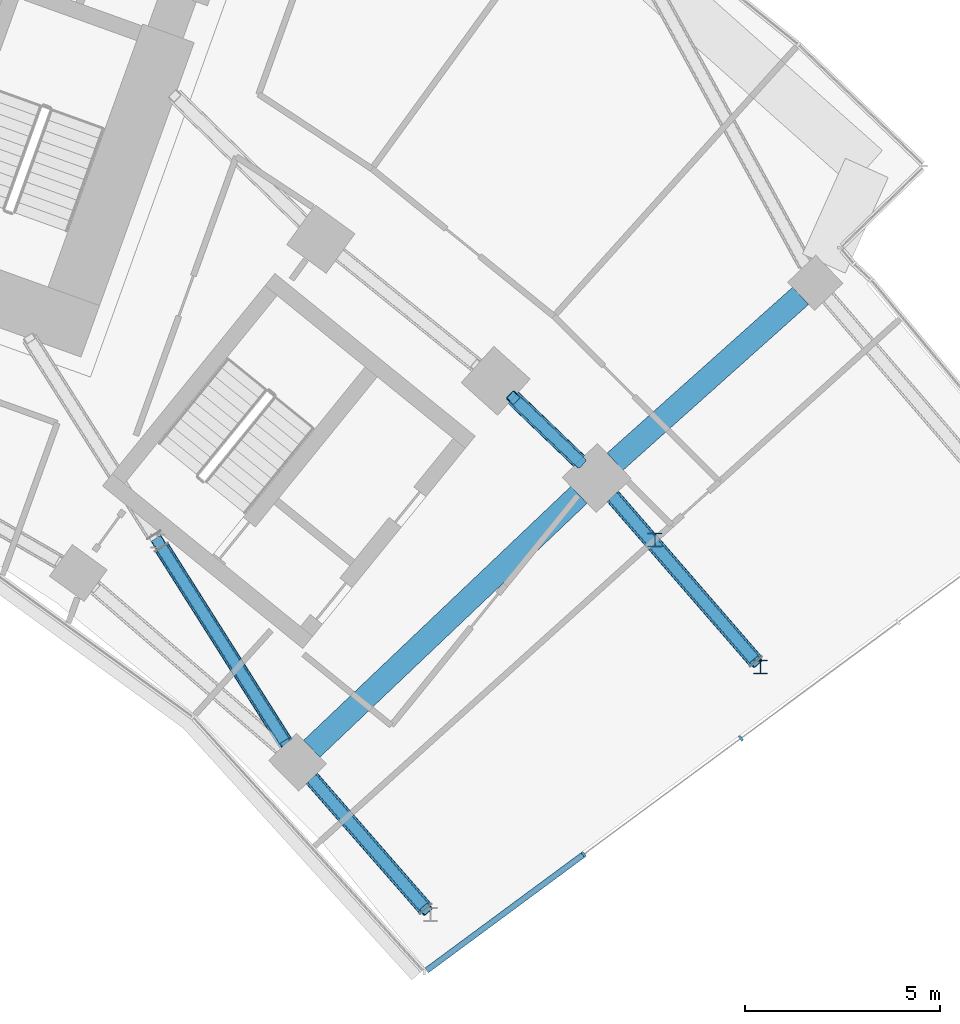
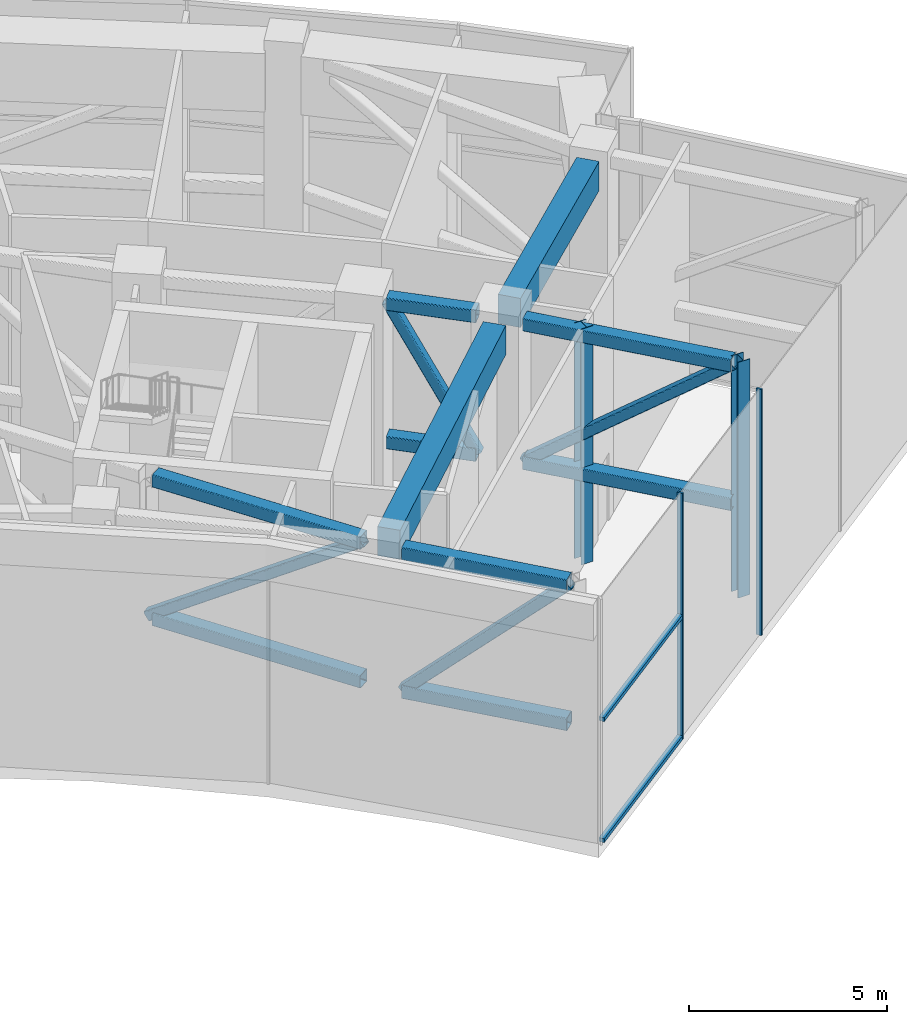
# One storey, part 10 of 32: 18 members, 2 beams, 1 element without a shape of its own.
"""IFC4 building model written with IfcOpenShell, lengths in metres."""

from ifc_helpers import new_model, si_unit, direction, frame, origin, origin_2d, place, context, subcontext, project, spatial, rectangle, hollow_rectangle, i_section, extrude, material, layer, layer_set, material_profile, profile_set, type_object, element, aggregate, save


model = new_model("IFC4")

# Units and contexts
model_context = context("Model", 3, precision=1e-05, world=origin(), true_north=direction((0.0, 1.0)))
body_context = subcontext(model_context, "Body", "Model", "MODEL_VIEW")
ifc_project = project(units=[si_unit("LENGTHUNIT", "METRE"), si_unit("AREAUNIT", "SQUARE_METRE"), si_unit("VOLUMEUNIT", "CUBIC_METRE"), si_unit("PLANEANGLEUNIT", "RADIAN"), si_unit("MASSUNIT", "GRAM", prefix="KILO")], contexts=[model_context])

# Site, building, storey
site_placement = place(None, origin())
site = spatial("IfcSite", under=ifc_project, at=site_placement, CompositionType="ELEMENT")
building_placement = place(site_placement, origin())
building = spatial("IfcBuilding", under=site, at=building_placement, Name="Stone Belt Terrace Tower", CompositionType="ELEMENT")
storey_placement = place(building_placement, frame((0.0, 0.0, 193.39990234375)))
storey = spatial("IfcBuildingStorey", under=building, at=storey_placement, Name="L47", CompositionType="ELEMENT", Elevation=193.39990234375)

# Curtain wall, members
ifc_material_1 = material(Name="Aluminium 6063-T6 anodised frame", Category="aluminium")
ifc_layer = layer(ifc_material_1, 0.14990234375)
ifc_layer_set = layer_set([ifc_layer], Name="CW-C stick curtain wall, horn ends and notches")
curtain_wall_type = type_object("IfcCurtainWallType", Name="CW-C stick curtain wall, horn ends and notches", PredefinedType="NOTDEFINED", material=ifc_layer_set)
curtain_wall_placement = place(storey_placement, origin())
curtain_wall = element("IfcCurtainWall", 1, at=curtain_wall_placement, inside=storey, type_object=curtain_wall_type, Name="CW-C end face L47", PredefinedType="NOTDEFINED")
ifc_material_profile_1 = material_profile(ifc_material_1, rectangle(XDim=0.14990234375, YDim=0.06005859375, at=origin_2d()), Name="Aluminium 6063-T6 60x150")
ifc_profile_set_1 = profile_set([ifc_material_profile_1], Name="Aluminium 6063-T6 anodised frame")
member_type_1 = type_object("IfcMemberType", Name="CW-C mullion 60 x 150", PredefinedType="MULLION", material=ifc_profile_set_1)
member_1_placement = place(storey_placement, frame((39.054443359375, 28.757568359375, 0.0), z_axis=(0.0, 0.0, 1.0), x_axis=(-0.594184091865, 0.804329077539, 0.0)))
member_1 = element("IfcMember", 2, at=member_1_placement, type_object=member_type_1, Name="CW-C mullion 2", PredefinedType="MULLION", context=body_context, shape_type="SweptSolid", body=[
    extrude(rectangle(XDim=0.14990234375, YDim=0.06005859375, at=origin_2d()), origin(), (0.0, 0.0, 1.0), 7.60009765625),
])
member_2_placement = place(storey_placement, frame((43.076171875, 31.728515625, 0.0), z_axis=(0.0, 0.0, 1.0), x_axis=(-0.594184091865, 0.804329077539, 0.0)))
member_2 = element("IfcMember", 3, at=member_2_placement, type_object=member_type_1, Name="CW-C mullion 3", PredefinedType="MULLION", context=body_context, shape_type="SweptSolid", body=[
    extrude(rectangle(XDim=0.14990234375, YDim=0.06005859375, at=origin_2d()), origin(), (0.0, 0.0, 1.0), 7.60009765625),
])
ifc_material_profile_2 = material_profile(ifc_material_1, rectangle(XDim=0.14990234375, YDim=0.1201171875, at=origin_2d()), Name="Aluminium 6063-T6 150x120")
ifc_profile_set_2 = profile_set([ifc_material_profile_2], Name="Aluminium 6063-T6 anodised frame")
member_type_2 = type_object("IfcMemberType", Name="CW-C transom 120 x 150", PredefinedType="USERDEFINED", material=ifc_profile_set_2)
member_3_placement = place(storey_placement, frame((35.03662109375, 25.78955078125, 0.06005859375), z_axis=(0.804333483404, 0.594178127733, 0.0), x_axis=(-0.594178127733, 0.804333483404, 0.0)))
member_3 = element("IfcMember", 4, at=member_3_placement, type_object=member_type_2, Name="CW-C transom 1.1", ObjectType="TRANSOM", PredefinedType="USERDEFINED", context=body_context, shape_type="SweptSolid", body=[
    extrude(rectangle(XDim=0.14990234375, YDim=0.1201171875, at=origin_2d()), origin(), (0.0, 0.0, 1.0), 4.965087890625),
])
member_4_placement = place(storey_placement, frame((35.03662109375, 25.78955078125, 3.800048828125), z_axis=(0.804333483404, 0.594178127733, 0.0), x_axis=(-0.594178127733, 0.804333483404, 0.0)))
member_4 = element("IfcMember", 5, at=member_4_placement, type_object=member_type_2, Name="CW-C transom 1.2", ObjectType="TRANSOM", PredefinedType="USERDEFINED", context=body_context, shape_type="SweptSolid", body=[
    extrude(rectangle(XDim=0.14990234375, YDim=0.1201171875, at=origin_2d()), origin(), (0.0, 0.0, 1.0), 4.965087890625),
])
aggregate(curtain_wall, [member_1, member_2, member_3, member_4])

# Beams
ifc_material_2 = material(Name="Concrete B60", Category="concrete")
ifc_material_profile_3 = material_profile(ifc_material_2, rectangle(XDim=0.60009765625, YDim=0.89990234375, at=origin_2d()), Name="RC 600x900")
ifc_profile_set_3 = profile_set([ifc_material_profile_3], Name="Concrete B60")
beam_type = type_object("IfcBeamType", Name="Edge beam RC 600x900 B60", PredefinedType="SPANDREL", material=ifc_profile_set_3)
beam_1_placement = place(storey_placement, frame((32.097412109375, 31.461181640625, 6.830078125), z_axis=(0.725033041143, 0.688714083819, 0.0), x_axis=(-0.688714083819, 0.725033041143, 0.0)))
element("IfcBeam", 6, at=beam_1_placement, inside=storey, type_object=beam_type, Name="Edge beam L47 B P to Q", PredefinedType="SPANDREL", context=body_context, shape_type="SweptSolid", body=[
    extrude(rectangle(XDim=0.60009765625, YDim=0.89990234375, at=origin_2d()), origin(), (0.0, 0.0, 1.0), 9.43115234375),
])
beam_2_placement = place(storey_placement, frame((39.854736328125, 38.8037109375, 6.830078125), z_axis=(0.745666230978, 0.666319647, 0.0), x_axis=(-0.666319647, 0.745666230978, 0.0)))
element("IfcBeam", 7, at=beam_2_placement, inside=storey, type_object=beam_type, Name="Edge beam L47 B Q to R", PredefinedType="SPANDREL", context=body_context, shape_type="SweptSolid", body=[
    extrude(rectangle(XDim=0.60009765625, YDim=0.89990234375, at=origin_2d()), origin(), (0.0, 0.0, 1.0), 6.369140625),
])

# Members
ifc_material_3 = material(Name="Structural steel C345", Category="steel")
ifc_material_profile_4 = material_profile(ifc_material_3, hollow_rectangle(XDim=0.39990234375, YDim=0.39990234375, WallThickness=0.01611328125, InnerFilletRadius=0.031982421875, OuterFilletRadius=0.048095703125, at=origin_2d()), Name="SHS 400x400x16")
ifc_profile_set_4 = profile_set([ifc_material_profile_4], Name="Structural steel C345")
member_type_3 = type_object("IfcMemberType", Name="Outrigger chord SHS 400x400x16", PredefinedType="CHORD", material=ifc_profile_set_4)
for number, where, z_axis, x_axis, name in (
    (8, (35.0048828125, 27.368896484375, 7.080078125), (-0.657421437866, 0.753523093896, 0.0), (-0.753523093896, -0.657421437866, 0.0), "Outrigger T3 Pe top chord 1"),
    (9, (35.0048828125, 27.368896484375, 2.800048828125), (-0.657421437866, 0.753523093896, 0.0), (-0.753523093896, -0.657421437866, 0.0), "Outrigger T3 Pe bot chord 1"),
):
    element("IfcMember", number, at=place(storey_placement, frame(where, z_axis=z_axis, x_axis=x_axis)), inside=storey, type_object=member_type_3, Name=name, PredefinedType="CHORD", context=body_context, shape_type="SweptSolid", body=[
        extrude(hollow_rectangle(XDim=0.39990234375, YDim=0.39990234375, WallThickness=0.01611328125, InnerFilletRadius=0.031982421875, OuterFilletRadius=0.048095703125, at=origin_2d()), origin(), (0.0, 0.0, 1.0), 4.4228515625),
    ])
for number, where, z_axis, x_axis, name in (
    (10, (43.450927734375, 33.70166015625, 7.080078125), (-0.655093900924, 0.755547471025, 0.0), (-0.755547471025, -0.655093900924, 0.0), "Outrigger T3 Qe top chord 1"),
    (11, (43.450927734375, 33.70166015625, 2.800048828125), (-0.655093900924, 0.755547471025, 0.0), (-0.755547471025, -0.655093900924, 0.0), "Outrigger T3 Qe bot chord 1"),
):
    element("IfcMember", number, at=place(storey_placement, frame(where, z_axis=z_axis, x_axis=x_axis)), inside=storey, type_object=member_type_3, Name=name, PredefinedType="CHORD", context=body_context, shape_type="SweptSolid", body=[
        extrude(hollow_rectangle(XDim=0.39990234375, YDim=0.39990234375, WallThickness=0.01611328125, InnerFilletRadius=0.031982421875, OuterFilletRadius=0.048095703125, at=origin_2d()), origin(), (0.0, 0.0, 1.0), 5.5751953125),
    ])
for number, where, z_axis, x_axis, name in (
    (12, (38.9375, 38.8203125, 7.080078125), (-0.720917383026, 0.693021014726, 0.0), (-0.693021014726, -0.720917383026, 0.0), "Outrigger T3 Qe top chord 2"),
    (13, (38.9375, 38.8203125, 2.800048828125), (-0.720917383026, 0.693021014726, 0.0), (-0.693021014726, -0.720917383026, 0.0), "Outrigger T3 Qe bot chord 2"),
):
    element("IfcMember", number, at=place(storey_placement, frame(where, z_axis=z_axis, x_axis=x_axis)), inside=storey, type_object=member_type_3, Name=name, PredefinedType="CHORD", context=body_context, shape_type="SweptSolid", body=[
        extrude(hollow_rectangle(XDim=0.39990234375, YDim=0.39990234375, WallThickness=0.01611328125, InnerFilletRadius=0.031982421875, OuterFilletRadius=0.048095703125, at=origin_2d()), origin(), (0.0, 0.0, 1.0), 2.336669921875),
    ])
for number, where, z_axis, x_axis, name in (
    (14, (31.43408203125, 31.592041015625, 7.080078125), (-0.534737009046, 0.845018538943, 0.0), (-0.845018538943, -0.534737009046, 0.0), "Outrigger T3 coreB-horn-P top chord 1"),
    (15, (31.43408203125, 31.592041015625, 2.800048828125), (-0.534737009046, 0.845018538943, 0.0), (-0.845018538943, -0.534737009046, 0.0), "Outrigger T3 coreB-horn-P bot chord 1"),
):
    element("IfcMember", number, at=place(storey_placement, frame(where, z_axis=z_axis, x_axis=x_axis)), inside=storey, type_object=member_type_3, Name=name, PredefinedType="CHORD", context=body_context, shape_type="SweptSolid", body=[
        extrude(hollow_rectangle(XDim=0.39990234375, YDim=0.39990234375, WallThickness=0.01611328125, InnerFilletRadius=0.031982421875, OuterFilletRadius=0.048095703125, at=origin_2d()), origin(), (0.0, 0.0, 1.0), 5.936767578125),
    ])
ifc_material_profile_5 = material_profile(ifc_material_3, hollow_rectangle(XDim=0.300048828125, YDim=0.300048828125, WallThickness=0.01611328125, InnerFilletRadius=0.031982421875, OuterFilletRadius=0.048095703125, at=origin_2d()), Name="SHS 300x300x16")
ifc_profile_set_5 = profile_set([ifc_material_profile_5], Name="Structural steel C345")
member_type_4 = type_object("IfcMemberType", Name="Outrigger diagonal SHS 300x300x16", PredefinedType="BRACE", material=ifc_profile_set_5)
member_5_placement = place(storey_placement, frame((35.017822265625, 27.353759765625, 7.080078125), z_axis=(-0.473435821363, 0.54269208546, -0.693789466214), x_axis=(-0.753552839817, -0.657387342138, 0.0)))
element("IfcMember", 16, at=member_5_placement, inside=storey, type_object=member_type_4, Name="Outrigger T3 Pe diagonal 1", PredefinedType="BRACE", context=body_context, shape_type="SweptSolid", body=[
    extrude(hollow_rectangle(XDim=0.300048828125, YDim=0.300048828125, WallThickness=0.01611328125, InnerFilletRadius=0.031982421875, OuterFilletRadius=0.048095703125, at=origin_2d()), origin(), (0.0, 0.0, 1.0), 6.1689453125),
])
member_6_placement = place(storey_placement, frame((43.464111328125, 33.6865234375, 7.080078125), z_axis=(-0.520329207678, 0.600107936602, -0.607559034221), x_axis=(-0.755542219032, -0.65509995822, 0.0)))
element("IfcMember", 17, at=member_6_placement, inside=storey, type_object=member_type_4, Name="Outrigger T3 Qe diagonal 1", PredefinedType="BRACE", context=body_context, shape_type="SweptSolid", body=[
    extrude(hollow_rectangle(XDim=0.300048828125, YDim=0.300048828125, WallThickness=0.01611328125, InnerFilletRadius=0.031982421875, OuterFilletRadius=0.048095703125, at=origin_2d()), origin(), (0.0, 0.0, 1.0), 7.044677734375),
])
member_7_placement = place(storey_placement, frame((38.9375, 38.8203125, 2.800048828125), z_axis=(-0.345456888182, 0.332089208596, 0.877710827062), x_axis=(-0.693021014726, -0.720917383026, 0.0)))
element("IfcMember", 18, at=member_7_placement, inside=storey, type_object=member_type_4, Name="Outrigger T3 Qe diagonal 2", PredefinedType="BRACE", context=body_context, shape_type="SweptSolid", body=[
    extrude(hollow_rectangle(XDim=0.300048828125, YDim=0.300048828125, WallThickness=0.01611328125, InnerFilletRadius=0.031982421875, OuterFilletRadius=0.048095703125, at=origin_2d()), origin(), (0.0, 0.0, 1.0), 4.87646484375),
])
member_8_placement = place(storey_placement, frame((31.43408203125, 31.592041015625, 7.080078125), z_axis=(-0.43847779443, 0.692912452061, -0.572371870003), x_axis=(-0.845021191076, -0.534732817987, 0.0)))
element("IfcMember", 19, at=member_8_placement, inside=storey, type_object=member_type_4, Name="Outrigger T3 coreB-horn-P diagonal 1", PredefinedType="BRACE", context=body_context, shape_type="SweptSolid", body=[
    extrude(hollow_rectangle(XDim=0.300048828125, YDim=0.300048828125, WallThickness=0.01611328125, InnerFilletRadius=0.031982421875, OuterFilletRadius=0.048095703125, at=origin_2d()), origin(), (0.0, 0.0, 1.0), 7.477783203125),
])
ifc_material_profile_6 = material_profile(ifc_material_3, i_section(OverallWidth=0.35009765625, OverallDepth=0.35009765625, WebThickness=0.011962890625, FlangeThickness=0.01904296875, at=origin_2d()), Name="I 35K2")
ifc_profile_set_6 = profile_set([ifc_material_profile_6], Name="Structural steel C345")
member_type_5 = type_object("IfcMemberType", Name="Outrigger post I 35K2", PredefinedType="POST", material=ifc_profile_set_6)
for number, where, z_axis, x_axis, name in (
    (20, (43.57861328125, 33.55419921875, 0.0), (0.0, 0.0, 1.0), (1.0, 0.0, 0.0), "Outrigger T3 Qe tip post"),
    (21, (40.873046875, 36.80224609375, 0.0), (0.0, 0.0, 1.0), (1.0, 0.0, 0.0), "Outrigger T3 Qe post under column Q30"),
):
    element("IfcMember", number, at=place(storey_placement, frame(where, z_axis=z_axis, x_axis=x_axis)), inside=storey, type_object=member_type_5, Name=name, PredefinedType="POST", context=body_context, shape_type="SweptSolid", body=[
        extrude(i_section(OverallWidth=0.35009765625, OverallDepth=0.35009765625, WebThickness=0.011962890625, FlangeThickness=0.01904296875, at=origin_2d()), origin(), (0.0, 0.0, 1.0), 7.280029296875),
    ])

save(model, "model.ifc")
